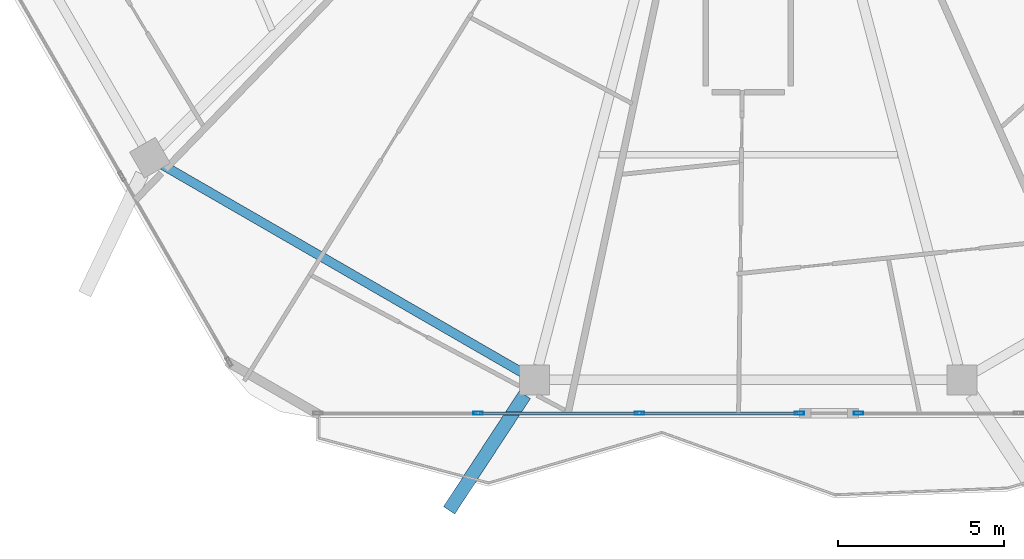
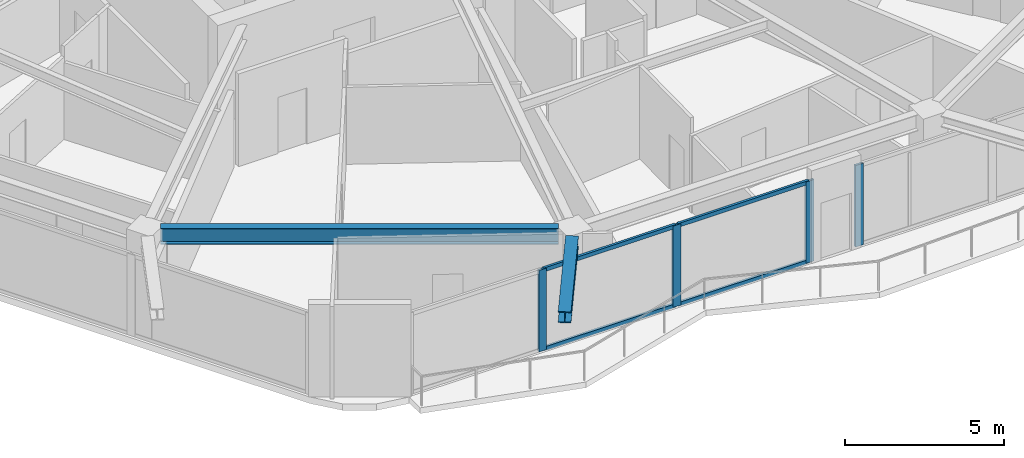
# One storey, part 3 of 26: 8 members, 2 beams, 2 elements without a shape of their own.
"""IFC4 building model written with IfcOpenShell, lengths in metres."""

from ifc_helpers import new_model, si_unit, direction, frame, origin, origin_2d, place, context, subcontext, project, spatial, hollow_rectangle, i_section, extrude, material, material_profile, profile_set, type_object, element, aggregate, save


model = new_model("IFC4")

# Units and contexts
model_context = context("Model", 3, precision=1e-05, world=origin(), true_north=direction((0.0, 1.0)))
body_context = subcontext(model_context, "Body", "Model", "MODEL_VIEW")
ifc_project = project(units=[si_unit("LENGTHUNIT", "METRE"), si_unit("AREAUNIT", "SQUARE_METRE"), si_unit("VOLUMEUNIT", "CUBIC_METRE"), si_unit("PLANEANGLEUNIT", "RADIAN"), si_unit("MASSUNIT", "GRAM", prefix="KILO")], contexts=[model_context])

# Site, building, storey
site_placement = place(None, origin())
site = spatial("IfcSite", under=ifc_project, at=site_placement, CompositionType="ELEMENT")
building_placement = place(site_placement, origin())
building = spatial("IfcBuilding", under=site, at=building_placement, Name="Zuhravey Tower", CompositionType="ELEMENT")
storey_placement = place(building_placement, frame((0.0, 0.0, 242.60009765625)))
storey = spatial("IfcBuildingStorey", under=building, at=storey_placement, Name="L61", CompositionType="ELEMENT", Elevation=242.60009765625)

# Curtain wall, member
ifc_material_1 = material(Name="Thermally broken anodised aluminium", Category="aluminium")
curtain_wall_type = type_object("IfcCurtainWallType", Name="Zone 3-4 High-Rise Curtain Wall CW4", PredefinedType="NOTDEFINED", material=ifc_material_1)
curtain_wall_1_placement = place(storey_placement, origin())
curtain_wall_1 = element("IfcCurtainWall", 1, at=curtain_wall_1_placement, inside=storey, type_object=curtain_wall_type, Name="L61 CW4 CW-L61-F5-1", PredefinedType="NOTDEFINED")
ifc_material_2 = material(Name="Anodised aluminium", Category="aluminium")
ifc_material_profile_1 = material_profile(ifc_material_2, hollow_rectangle(XDim=0.090087890625, YDim=0.284912109375, WallThickness=0.0048828125, at=origin_2d()), Name="ALU-RHS-90x285x5")
ifc_profile_set_1 = profile_set([ifc_material_profile_1], Name="Anodised aluminium")
member_type_1 = type_object("IfcMemberType", Name="Curtain-Wall Mullion 90x180", PredefinedType="MULLION", material=ifc_profile_set_1)
member_1_placement = place(storey_placement, frame((39.330810546875, 6.436279296875, 0.0), z_axis=(0.0, 0.0, 1.0), x_axis=(0.0, -1.0, 0.0)))
member_1 = element("IfcMember", 2, at=member_1_placement, type_object=member_type_1, Name="CW4 mullion 3", PredefinedType="MULLION", context=body_context, shape_type="SweptSolid", body=[
    extrude(hollow_rectangle(XDim=0.090087890625, YDim=0.284912109375, WallThickness=0.0048828125, at=origin_2d()), origin(), (0.0, 0.0, 1.0), 3.121826171875),
])
aggregate(curtain_wall_1, [member_1])

# Curtain wall, members
curtain_wall_2_placement = place(storey_placement, origin())
curtain_wall_2 = element("IfcCurtainWall", 3, at=curtain_wall_2_placement, inside=storey, type_object=curtain_wall_type, Name="L61 CW4 CW-L61-F5-2", PredefinedType="NOTDEFINED")
member_2_placement = place(storey_placement, frame((37.540771484375, 6.436279296875, 0.0), z_axis=(0.0, 0.0, 1.0), x_axis=(0.0, -1.0, 0.0)))
member_2 = element("IfcMember", 4, at=member_2_placement, type_object=member_type_1, Name="CW4 mullion 1", PredefinedType="MULLION", context=body_context, shape_type="SweptSolid", body=[
    extrude(hollow_rectangle(XDim=0.090087890625, YDim=0.284912109375, WallThickness=0.0048828125, at=origin_2d()), origin(), (0.0, 0.0, 1.0), 3.121826171875),
])
member_3_placement = place(storey_placement, frame((32.7197265625, 6.436279296875, 0.0), z_axis=(0.0, 0.0, 1.0), x_axis=(0.0, -1.0, 0.0)))
member_3 = element("IfcMember", 5, at=member_3_placement, type_object=member_type_1, Name="CW4 mullion 2", PredefinedType="MULLION", context=body_context, shape_type="SweptSolid", body=[
    extrude(hollow_rectangle(XDim=0.090087890625, YDim=0.284912109375, WallThickness=0.0048828125, at=origin_2d()), origin(), (0.0, 0.0, 1.0), 3.121826171875),
])
member_4_placement = place(storey_placement, frame((27.853515625, 6.436279296875, 0.0), z_axis=(0.0, 0.0, 1.0), x_axis=(0.0, -1.0, 0.0)))
member_4 = element("IfcMember", 6, at=member_4_placement, type_object=member_type_1, Name="CW4 mullion 3", PredefinedType="MULLION", context=body_context, shape_type="SweptSolid", body=[
    extrude(hollow_rectangle(XDim=0.090087890625, YDim=0.284912109375, WallThickness=0.0048828125, at=origin_2d()), origin(), (0.0, 0.0, 1.0), 3.121826171875),
])
ifc_material_profile_2 = material_profile(ifc_material_2, hollow_rectangle(XDim=0.090087890625, YDim=0.14990234375, WallThickness=0.0048828125, at=origin_2d()), Name="ALU-RHS-90x150x5")
ifc_profile_set_2 = profile_set([ifc_material_profile_2], Name="Anodised aluminium")
member_type_2 = type_object("IfcMemberType", Name="Curtain-Wall Transom 90x150", PredefinedType="USERDEFINED", material=ifc_profile_set_2)
member_5_placement = place(storey_placement, frame((37.495849609375, 6.436279296875, 0.044921875), z_axis=(-1.0, 0.0, 0.0), x_axis=(0.0, -1.0, 0.0)))
member_5 = element("IfcMember", 7, at=member_5_placement, type_object=member_type_2, Name="CW4 transom 1.1", ObjectType="TRANSOM", PredefinedType="USERDEFINED", context=body_context, shape_type="SweptSolid", body=[
    extrude(hollow_rectangle(XDim=0.090087890625, YDim=0.14990234375, WallThickness=0.0048828125, at=origin_2d()), origin(), (0.0, 0.0, 1.0), 4.731201171875),
])
member_6_placement = place(storey_placement, frame((37.495849609375, 6.436279296875, 3.076904296875), z_axis=(-1.0, 0.0, 0.0), x_axis=(0.0, -1.0, 0.0)))
member_6 = element("IfcMember", 8, at=member_6_placement, type_object=member_type_2, Name="CW4 transom 1.2", ObjectType="TRANSOM", PredefinedType="USERDEFINED", context=body_context, shape_type="SweptSolid", body=[
    extrude(hollow_rectangle(XDim=0.090087890625, YDim=0.14990234375, WallThickness=0.0048828125, at=origin_2d()), origin(), (0.0, 0.0, 1.0), 4.731201171875),
])
member_7_placement = place(storey_placement, frame((32.674560546875, 6.436279296875, 0.044921875), z_axis=(-1.0, 0.0, 0.0), x_axis=(0.0, -1.0, 0.0)))
member_7 = element("IfcMember", 9, at=member_7_placement, type_object=member_type_2, Name="CW4 transom 2.1", ObjectType="TRANSOM", PredefinedType="USERDEFINED", context=body_context, shape_type="SweptSolid", body=[
    extrude(hollow_rectangle(XDim=0.090087890625, YDim=0.14990234375, WallThickness=0.0048828125, at=origin_2d()), origin(), (0.0, 0.0, 1.0), 4.776123046875),
])
member_8_placement = place(storey_placement, frame((32.674560546875, 6.436279296875, 3.076904296875), z_axis=(-1.0, 0.0, 0.0), x_axis=(0.0, -1.0, 0.0)))
member_8 = element("IfcMember", 10, at=member_8_placement, type_object=member_type_2, Name="CW4 transom 2.2", ObjectType="TRANSOM", PredefinedType="USERDEFINED", context=body_context, shape_type="SweptSolid", body=[
    extrude(hollow_rectangle(XDim=0.090087890625, YDim=0.14990234375, WallThickness=0.0048828125, at=origin_2d()), origin(), (0.0, 0.0, 1.0), 4.776123046875),
])
aggregate(curtain_wall_2, [member_2, member_3, member_4, member_5, member_6, member_7, member_8])

# Beams
ifc_material_3 = material(Name="Steel SM460", Category="steel")
ifc_material_profile_3 = material_profile(ifc_material_3, i_section(OverallWidth=0.406982421875, OverallDepth=0.427978515625, WebThickness=0.02001953125, FlangeThickness=0.034912109375, at=origin_2d()), Name="H-428x407x20x35")
ifc_profile_set_3 = profile_set([ifc_material_profile_3], Name="Steel SM460")
beam_type_1 = type_object("IfcBeamType", Name="Exoskeleton Node Tie Beam H428x407", PredefinedType="BEAM", material=ifc_profile_set_3)
beam_1_placement = place(storey_placement, frame((29.261962890625, 6.9931640625, 3.3359375), z_axis=(-0.548027671424, -0.83646020309, 0.0), x_axis=(0.83646020309, -0.548027671424, 0.0)))
element("IfcBeam", 11, at=beam_1_placement, inside=storey, type_object=beam_type_1, Name="L61 Exoskeleton Node Tie NT1-09", PredefinedType="BEAM", context=body_context, shape_type="SweptSolid", body=[
    extrude(i_section(OverallWidth=0.406982421875, OverallDepth=0.427978515625, WebThickness=0.02001953125, FlangeThickness=0.034912109375, at=origin_2d()), origin(), (0.0, 0.0, 1.0), 4.165283203125),
])
ifc_material_4 = material(Name="Steel SM355", Category="steel")
ifc_material_profile_4 = material_profile(ifc_material_4, i_section(OverallWidth=0.280029296875, OverallDepth=0.6201171875, WebThickness=0.011962890625, FlangeThickness=0.02001953125, at=origin_2d()), Name="H-620x280x12x20")
ifc_profile_set_4 = profile_set([ifc_material_profile_4], Name="Steel SM355")
beam_type_2 = type_object("IfcBeamType", Name="Perimeter Ring Beam H620x280", PredefinedType="BEAM", material=ifc_profile_set_4)
beam_2_placement = place(storey_placement, frame((18.3486328125, 13.918701171875, 3.239990234375), z_axis=(0.866025131093, -0.500000472315, 0.0), x_axis=(0.500000472315, 0.866025131093, 0.0)))
element("IfcBeam", 12, at=beam_2_placement, inside=storey, type_object=beam_type_2, Name="L61 PB3 BM-L61-PB-08", PredefinedType="BEAM", context=body_context, shape_type="SweptSolid", body=[
    extrude(i_section(OverallWidth=0.280029296875, OverallDepth=0.6201171875, WebThickness=0.011962890625, FlangeThickness=0.02001953125, at=origin_2d()), origin(), (0.0, 0.0, 1.0), 12.49169921875),
])

save(model, "model.ifc")
